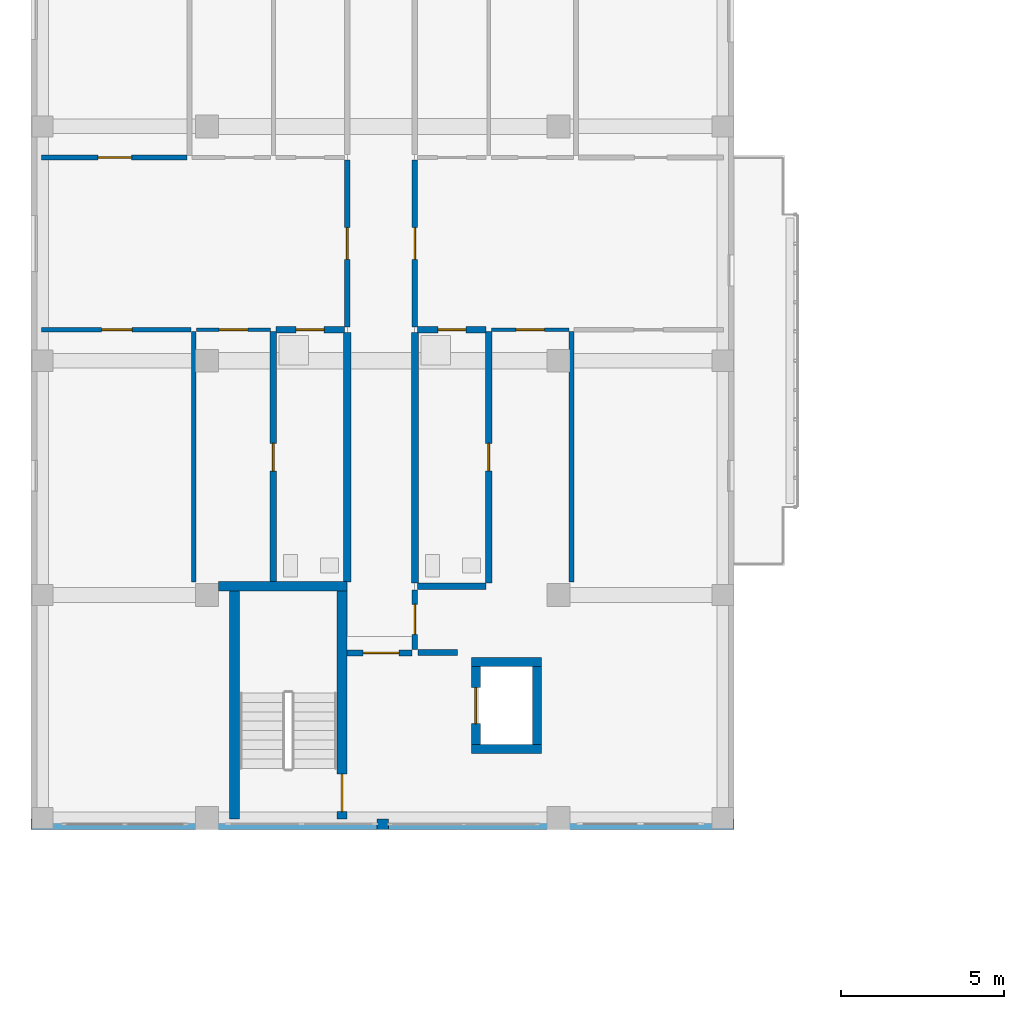
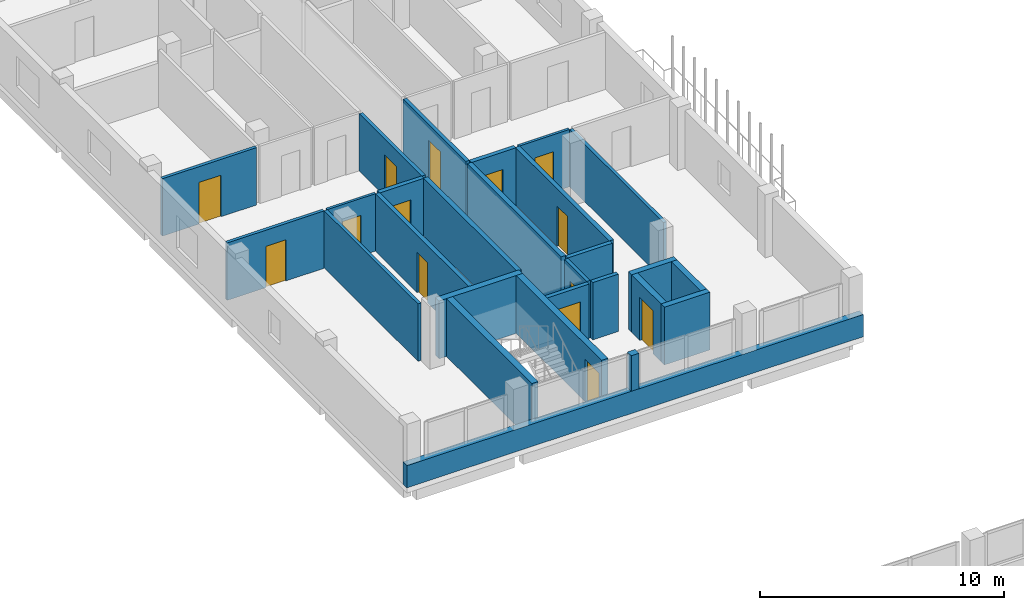
# One storey, part 27 of 51: 27 walls, 14 doors, 14 openings.
"""IFC4 building model written with IfcOpenShell, lengths in metres."""

from ifc_helpers import new_model, si_unit, derived_unit, direction, frame, frame_2d, origin, place, context, subcontext, project, spatial, rectangle, extrude, material, layer, layer_set, type_object, element, fill, save


model = new_model("IFC4")

# Units and contexts
model_context = context("Model", 3, precision=1e-05, world=origin(), true_north=direction((0.0, 1.0)))
body_context = subcontext(model_context, "Body", "Model", "MODEL_VIEW")
ifc_project = project(units=[si_unit("LENGTHUNIT", "METRE"), si_unit("AREAUNIT", "SQUARE_METRE"), si_unit("VOLUMEUNIT", "CUBIC_METRE"), si_unit("PLANEANGLEUNIT", "RADIAN"), si_unit("MASSUNIT", "GRAM", prefix="KILO"), derived_unit("THERMALTRANSMITTANCEUNIT", [(si_unit("MASSUNIT", "GRAM", prefix="KILO"), 1), (si_unit("TIMEUNIT", "SECOND"), -3), (si_unit("THERMODYNAMICTEMPERATUREUNIT", "KELVIN"), -1)])], contexts=[model_context])

# Site, building, storey
site_placement = place(None, origin())
site = spatial("IfcSite", under=ifc_project, at=site_placement, CompositionType="ELEMENT")
building_placement = place(site_placement, origin())
building = spatial("IfcBuilding", under=site, at=building_placement, Name="Ochrekiln Boulevard Commons", CompositionType="ELEMENT")
storey_placement = place(building_placement, frame((0.0, 0.0, 15.22509765625)))
storey = spatial("IfcBuildingStorey", under=building, at=storey_placement, Name="L04", CompositionType="ELEMENT", Elevation=15.22509765625)

# Walls
ifc_material_1 = material(Name="Desert ochre clinker brick masonry ASTM C216 Grade SW", Category="masonry")
ifc_layer_1 = layer(ifc_material_1, 0.320068359375)
ifc_layer_set_1 = layer_set([ifc_layer_1], Name="Desert ochre clinker brick masonry ASTM C216 Grade SW")
wall_type_1 = type_object("IfcWallType", Name="WL-EXT-OCHRE-320", PredefinedType="SOLIDWALL", material=ifc_layer_set_1)
wall_1_placement = place(storey_placement, frame((0.0, 68.56005859375, 0.0), z_axis=(0.0, 0.0, 1.0), x_axis=(1.0, 0.0, 0.0)))
element("IfcWall", 1, at=wall_1_placement, inside=storey, type_object=wall_type_1, Name="Block A L04 Courtyard Gable Sill Wall", PredefinedType="SOLIDWALL", context=body_context, shape_type="SweptSolid", body=[
    extrude(rectangle(XDim=21.60009765625, YDim=0.320068359375, at=frame_2d((10.800048828125, 0.0))), origin(), (0.0, 0.0, 1.0), 1.10986328125),
])
wall_2_placement = place(storey_placement, frame((10.6201171875, 68.56005859375, 1.10986328125), z_axis=(0.0, 0.0, 1.0), x_axis=(1.0, 0.0, 0.0)))
element("IfcWall", 2, at=wall_2_placement, inside=storey, type_object=wall_type_1, Name="Block A L04 Courtyard Gable Mullion Pier", PredefinedType="SOLIDWALL", context=body_context, shape_type="SweptSolid", body=[
    extrude(rectangle(XDim=0.35986328125, YDim=0.320068359375, at=frame_2d((0.179931640625, 0.0))), origin(), (0.0, 0.0, 1.0), 1.780029296875),
])
ifc_material_2 = material(Name="Moisture-resistant cementitious tile backer wall")
ifc_layer_2 = layer(ifc_material_2, 0.199951171875)
ifc_layer_set_2 = layer_set([ifc_layer_2], Name="Moisture-resistant cementitious tile backer wall")
wall_type_2 = type_object("IfcWallType", Name="WL-PLM-200", PredefinedType="PLUMBINGWALL", material=ifc_layer_set_2)
wall_3_placement = place(storey_placement, frame((11.8720703125, 75.875, 0.0), z_axis=(0.0, 0.0, 1.0), x_axis=(1.0, 0.0, 0.0)))
element("IfcWall", 3, at=wall_3_placement, inside=storey, type_object=wall_type_2, Name="L04 Interior Wall W-PW200", PredefinedType="PLUMBINGWALL", context=body_context, shape_type="SweptSolid", body=[
    extrude(rectangle(XDim=2.10791015625, YDim=0.199951171875, at=frame_2d((1.053955078125, 0.0))), origin(), (0.0, 0.0, 1.0), 2.869873046875),
])

# Wall, opening, door
wall_4_placement = place(storey_placement, frame((7.52001953125, 83.75, 0.0), z_axis=(0.0, 0.0, 1.0), x_axis=(1.0, 0.0, 0.0)))
wall_4 = element("IfcWall", 4, at=wall_4_placement, inside=storey, type_object=wall_type_2, Name="L04 Interior Wall W-PW200", PredefinedType="PLUMBINGWALL", context=body_context, shape_type="SweptSolid", body=[
    extrude(rectangle(XDim=2.10791015625, YDim=0.199951171875, at=frame_2d((1.053955078125, 0.0))), origin(), (0.0, 0.0, 1.0), 2.869873046875),
])
opening_1_placement = place(wall_4_placement, frame((0.6201171875, 0.0, 0.0)))
opening_1 = element("IfcOpeningElement", 5, at=opening_1_placement, cuts=wall_4, Name="Opening D-L04-562", PredefinedType="OPENING", context=body_context, shape_type="SweptSolid", body=[
    extrude(rectangle(XDim=0.860107421875, YDim=2.0, at=frame_2d((0.43017578125, 1.0))), frame((0.0, 0.10986328125, 0.0), z_axis=(0.0, -1.0, 0.0), x_axis=(1.0, 0.0, 0.0)), (0.0, 0.0, 1.0), 0.219970703125),
])
ifc_material_3 = material(Name="Solid core architectural oak door leaf")
door_type_1 = type_object("IfcDoorType", Name="DR-INT-BTH-086", OperationType="NOTDEFINED", PredefinedType="DOOR", material=ifc_material_3)
door_1_placement = place(opening_1_placement, frame((0.860107421875, 0.0, 0.0), z_axis=(0.0, 0.0, 1.0), x_axis=(-1.0, 0.0, 0.0)))
door_1 = element("IfcDoor", 6, at=door_1_placement, inside=storey, type_object=door_type_1, Name="L04 Interior Door to Accessible Apartment Bathroom", OperationType="SINGLE_SWING_RIGHT", OverallHeight=2.0, OverallWidth=0.860107421875, PredefinedType="DOOR", context=body_context, shape_type="SweptSolid", body=[
    extrude(rectangle(XDim=0.860107421875, YDim=2.0, at=frame_2d((0.43017578125, 1.0))), frame((0.0, 0.02490234375, 0.0), z_axis=(0.0, -1.0, 0.0), x_axis=(1.0, 0.0, 0.0)), (0.0, 0.0, 1.0), 0.050048828125),
])
fill(opening_1, door_1)

wall_5_placement = place(storey_placement, frame((7.43994140625, 76.0, 0.0), z_axis=(0.0, 0.0, 1.0), x_axis=(0.0, 1.0, 0.0)))
wall_5 = element("IfcWall", 7, at=wall_5_placement, inside=storey, type_object=wall_type_2, Name="L04 Interior Wall W-PW200", PredefinedType="PLUMBINGWALL", context=body_context, shape_type="SweptSolid", body=[
    extrude(rectangle(XDim=7.68994140625, YDim=0.199951171875, at=frame_2d((3.844970703125, 0.0))), origin(), (0.0, 0.0, 1.0), 2.869873046875),
])
opening_2_placement = place(wall_5_placement, frame((3.409912109375, 0.0, 0.0)))
opening_2 = element("IfcOpeningElement", 8, at=opening_2_placement, cuts=wall_5, Name="Opening D-L04-568", PredefinedType="OPENING", context=body_context, shape_type="SweptSolid", body=[
    extrude(rectangle(XDim=0.85009765625, YDim=2.010009765625, at=frame_2d((0.425048828125, 1.0048828125))), frame((0.0, 0.10986328125, 0.0), z_axis=(0.0, -1.0, 0.0), x_axis=(1.0, 0.0, 0.0)), (0.0, 0.0, 1.0), 0.219970703125),
])
door_type_2 = type_object("IfcDoorType", Name="DR-INT-KIT-085", OperationType="NOTDEFINED", PredefinedType="DOOR", material=ifc_material_3)
door_2_placement = place(opening_2_placement, frame((0.85009765625, 0.0, 0.0), z_axis=(0.0, 0.0, 1.0), x_axis=(-1.0, 0.0, 0.0)))
door_2 = element("IfcDoor", 9, at=door_2_placement, inside=storey, type_object=door_type_2, Name="L04 Interior Door to Accessible Apartment Bathroom", OperationType="SINGLE_SWING_RIGHT", OverallHeight=2.010009765625, OverallWidth=0.85009765625, PredefinedType="DOOR", context=body_context, shape_type="SweptSolid", body=[
    extrude(rectangle(XDim=0.85009765625, YDim=2.010009765625, at=frame_2d((0.425048828125, 1.0048828125))), frame((0.0, 0.02490234375, 0.0), z_axis=(0.0, -1.0, 0.0), x_axis=(1.0, 0.0, 0.0)), (0.0, 0.0, 1.0), 0.050048828125),
])
fill(opening_2, door_2)

wall_6_placement = place(storey_placement, frame((11.8720703125, 83.75, 0.0), z_axis=(0.0, 0.0, 1.0), x_axis=(1.0, 0.0, 0.0)))
wall_6 = element("IfcWall", 10, at=wall_6_placement, inside=storey, type_object=wall_type_2, Name="L04 Interior Wall W-PW200", PredefinedType="PLUMBINGWALL", context=body_context, shape_type="SweptSolid", body=[
    extrude(rectangle(XDim=2.10791015625, YDim=0.199951171875, at=frame_2d((1.053955078125, 0.0))), origin(), (0.0, 0.0, 1.0), 2.869873046875),
])
opening_3_placement = place(wall_6_placement, frame((0.6279296875, 0.0, 0.0)))
opening_3 = element("IfcOpeningElement", 11, at=opening_3_placement, cuts=wall_6, Name="Opening D-L04-573", PredefinedType="OPENING", context=body_context, shape_type="SweptSolid", body=[
    extrude(rectangle(XDim=0.860107421875, YDim=2.0, at=frame_2d((0.43017578125, 1.0))), frame((0.0, 0.10986328125, 0.0), z_axis=(0.0, -1.0, 0.0), x_axis=(1.0, 0.0, 0.0)), (0.0, 0.0, 1.0), 0.219970703125),
])
door_3_placement = place(opening_3_placement, frame((0.860107421875, 0.0, 0.0), z_axis=(0.0, 0.0, 1.0), x_axis=(-1.0, 0.0, 0.0)))
door_3 = element("IfcDoor", 12, at=door_3_placement, inside=storey, type_object=door_type_1, Name="L04 Interior Door to Apartment Bathroom", OperationType="SINGLE_SWING_LEFT", OverallHeight=2.0, OverallWidth=0.860107421875, PredefinedType="DOOR", context=body_context, shape_type="SweptSolid", body=[
    extrude(rectangle(XDim=0.860107421875, YDim=2.0, at=frame_2d((0.43017578125, 1.0))), frame((0.0, 0.02490234375, 0.0), z_axis=(0.0, -1.0, 0.0), x_axis=(1.0, 0.0, 0.0)), (0.0, 0.0, 1.0), 0.050048828125),
])
fill(opening_3, door_3)

wall_7_placement = place(storey_placement, frame((14.06005859375, 75.97509765625, 0.0), z_axis=(0.0, 0.0, 1.0), x_axis=(0.0, 1.0, 0.0)))
wall_7 = element("IfcWall", 13, at=wall_7_placement, inside=storey, type_object=wall_type_2, Name="L04 Interior Wall W-PW200", PredefinedType="PLUMBINGWALL", context=body_context, shape_type="SweptSolid", body=[
    extrude(rectangle(XDim=7.71484375, YDim=0.199951171875, at=frame_2d((3.857421875, 0.0))), origin(), (0.0, 0.0, 1.0), 2.869873046875),
])
opening_4_placement = place(wall_7_placement, frame((3.43505859375, 0.0, 0.0)))
opening_4 = element("IfcOpeningElement", 14, at=opening_4_placement, cuts=wall_7, Name="Opening D-L04-579", PredefinedType="OPENING", context=body_context, shape_type="SweptSolid", body=[
    extrude(rectangle(XDim=0.85009765625, YDim=2.010009765625, at=frame_2d((0.425048828125, 1.0048828125))), frame((0.0, 0.10986328125, 0.0), z_axis=(0.0, -1.0, 0.0), x_axis=(1.0, 0.0, 0.0)), (0.0, 0.0, 1.0), 0.219970703125),
])
door_4_placement = place(opening_4_placement, origin())
door_4 = element("IfcDoor", 15, at=door_4_placement, inside=storey, type_object=door_type_2, Name="L04 Interior Door to Apartment Bathroom", OperationType="SINGLE_SWING_LEFT", OverallHeight=2.010009765625, OverallWidth=0.85009765625, PredefinedType="DOOR", context=body_context, shape_type="SweptSolid", body=[
    extrude(rectangle(XDim=0.85009765625, YDim=2.010009765625, at=frame_2d((0.425048828125, 1.0048828125))), frame((0.0, 0.02490234375, 0.0), z_axis=(0.0, -1.0, 0.0), x_axis=(1.0, 0.0, 0.0)), (0.0, 0.0, 1.0), 0.050048828125),
])
fill(opening_4, door_4)

# Walls
ifc_layer_3 = layer(ifc_material_2, 0.219970703125)
ifc_layer_set_3 = layer_set([ifc_layer_3], Name="Moisture-resistant cementitious tile backer wall")
wall_type_3 = type_object("IfcWallType", Name="WL-PLM-220", PredefinedType="PLUMBINGWALL", material=ifc_layer_set_3)
wall_8_placement = place(storey_placement, frame((9.7099609375, 76.0, 0.0), z_axis=(0.0, 0.0, 1.0), x_axis=(0.0, 1.0, 0.0)))
element("IfcWall", 16, at=wall_8_placement, inside=storey, type_object=wall_type_3, Name="L04 Interior Wall W-PW220", PredefinedType="PLUMBINGWALL", context=body_context, shape_type="SweptSolid", body=[
    extrude(rectangle(XDim=7.669921875, YDim=0.219970703125, at=frame_2d((3.8349609375, 0.0))), origin(), (0.0, 0.0, 1.0), 2.869873046875),
])
wall_9_placement = place(storey_placement, frame((11.7900390625, 75.97509765625, 0.0), z_axis=(0.0, 0.0, 1.0), x_axis=(0.0, 1.0, 0.0)))
element("IfcWall", 17, at=wall_9_placement, inside=storey, type_object=wall_type_3, Name="L04 Interior Wall W-PW220", PredefinedType="PLUMBINGWALL", context=body_context, shape_type="SweptSolid", body=[
    extrude(rectangle(XDim=7.69482421875, YDim=0.219970703125, at=frame_2d((3.847412109375, 0.0))), origin(), (0.0, 0.0, 1.0), 2.869873046875),
])

# Wall, opening, door
ifc_material_4 = material(Name="Fire-rated Type X gypsum board on steel studs", Category="steel")
ifc_layer_4 = layer(ifc_material_4, 0.1650390625)
ifc_layer_set_4 = layer_set([ifc_layer_4], Name="Fire-rated Type X gypsum board on steel studs")
wall_type_4 = type_object("IfcWallType", Name="WL-PT-CORR-165", PredefinedType="PARTITIONING", material=ifc_layer_set_4)
wall_10_placement = place(storey_placement, frame((11.7900390625, 73.929931640625, 0.0), z_axis=(0.0, 0.0, 1.0), x_axis=(0.0, 1.0, 0.0)))
wall_10 = element("IfcWall", 18, at=wall_10_placement, inside=storey, type_object=wall_type_4, Name="L04 Interior Wall W-PC165", PredefinedType="PARTITIONING", context=body_context, shape_type="SweptSolid", body=[
    extrude(rectangle(XDim=1.820068359375, YDim=0.1650390625, at=frame_2d((0.91015625, 0.0))), origin(), (0.0, 0.0, 1.0), 2.869873046875),
])
opening_5_placement = place(wall_10_placement, frame((0.4599609375, 0.0, 0.0)))
opening_5 = element("IfcOpeningElement", 19, at=opening_5_placement, cuts=wall_10, Name="Opening D-L04-557", PredefinedType="OPENING", context=body_context, shape_type="SweptSolid", body=[
    extrude(rectangle(XDim=0.919921875, YDim=2.0400390625, at=frame_2d((0.4599609375, 1.02001953125))), frame((0.0, 0.092529296875, 0.0), z_axis=(0.0, -1.0, 0.0), x_axis=(1.0, 0.0, 0.0)), (0.0, 0.0, 1.0), 0.18505859375),
])
ifc_material_5 = material(Name="Hollow metal fire-rated steel door assembly", Category="steel")
door_type_3 = type_object("IfcDoorType", Name="DR-SRV-90", OperationType="NOTDEFINED", PredefinedType="DOOR", material=ifc_material_5)
door_5_placement = place(opening_5_placement, frame((0.919921875, 0.0, 0.0), z_axis=(0.0, 0.0, 1.0), x_axis=(-1.0, 0.0, 0.0)))
door_5 = element("IfcDoor", 20, at=door_5_placement, inside=storey, type_object=door_type_3, Name="L04 Interior Door to Hydronic and Electrical Riser Room", OperationType="SINGLE_SWING_LEFT", OverallHeight=2.0400390625, OverallWidth=0.919921875, PredefinedType="DOOR", context=body_context, shape_type="SweptSolid", body=[
    extrude(rectangle(XDim=0.919921875, YDim=2.0400390625, at=frame_2d((0.4599609375, 1.02001953125))), frame((0.0, 0.02490234375, 0.0), z_axis=(0.0, -1.0, 0.0), x_axis=(1.0, 0.0, 0.0)), (0.0, 0.0, 1.0), 0.050048828125),
])
fill(opening_5, door_5)

wall_11_placement = place(storey_placement, frame((9.7099609375, 83.830078125, 0.0), z_axis=(0.0, 0.0, 1.0), x_axis=(0.0, 1.0, 0.0)))
wall_11 = element("IfcWall", 21, at=wall_11_placement, inside=storey, type_object=wall_type_4, Name="L04 Interior Wall W-PC165", PredefinedType="PARTITIONING", context=body_context, shape_type="SweptSolid", body=[
    extrude(rectangle(XDim=5.139892578125, YDim=0.1650390625, at=frame_2d((2.56982421875, 0.0))), origin(), (0.0, 0.0, 1.0), 2.869873046875),
])
opening_6_placement = place(wall_11_placement, frame((2.080078125, 0.0, 0.0)))
opening_6 = element("IfcOpeningElement", 22, at=opening_6_placement, cuts=wall_11, Name="Opening D-L04-558", PredefinedType="OPENING", context=body_context, shape_type="SweptSolid", body=[
    extrude(rectangle(XDim=0.97998046875, YDim=2.080078125, at=frame_2d((0.489990234375, 1.0400390625))), frame((0.0, 0.092529296875, 0.0), z_axis=(0.0, -1.0, 0.0), x_axis=(1.0, 0.0, 0.0)), (0.0, 0.0, 1.0), 0.18505859375),
])
door_type_4 = type_object("IfcDoorType", Name="DR-APT-60", OperationType="NOTDEFINED", PredefinedType="DOOR", material=ifc_material_3)
door_6_placement = place(opening_6_placement, origin())
door_6 = element("IfcDoor", 23, at=door_6_placement, inside=storey, type_object=door_type_4, Name="L04 Interior Door to Two-Bedroom Apartment Living Room", OperationType="SINGLE_SWING_RIGHT", OverallHeight=2.080078125, OverallWidth=0.97998046875, PredefinedType="DOOR", context=body_context, shape_type="SweptSolid", body=[
    extrude(rectangle(XDim=0.97998046875, YDim=2.080078125, at=frame_2d((0.489990234375, 1.0400390625))), frame((0.0, 0.02490234375, 0.0), z_axis=(0.0, -1.0, 0.0), x_axis=(1.0, 0.0, 0.0)), (0.0, 0.0, 1.0), 0.050048828125),
])
fill(opening_6, door_6)

wall_12_placement = place(storey_placement, frame((11.7900390625, 83.830078125, 0.0), z_axis=(0.0, 0.0, 1.0), x_axis=(0.0, 1.0, 0.0)))
wall_12 = element("IfcWall", 24, at=wall_12_placement, inside=storey, type_object=wall_type_4, Name="L04 Interior Wall W-PC165", PredefinedType="PARTITIONING", context=body_context, shape_type="SweptSolid", body=[
    extrude(rectangle(XDim=5.139892578125, YDim=0.1650390625, at=frame_2d((2.56982421875, 0.0))), origin(), (0.0, 0.0, 1.0), 2.869873046875),
])
opening_7_placement = place(wall_12_placement, frame((2.080078125, 0.0, 0.0)))
opening_7 = element("IfcOpeningElement", 25, at=opening_7_placement, cuts=wall_12, Name="Opening D-L04-560", PredefinedType="OPENING", context=body_context, shape_type="SweptSolid", body=[
    extrude(rectangle(XDim=0.97998046875, YDim=2.080078125, at=frame_2d((0.489990234375, 1.0400390625))), frame((0.0, 0.092529296875, 0.0), z_axis=(0.0, -1.0, 0.0), x_axis=(1.0, 0.0, 0.0)), (0.0, 0.0, 1.0), 0.18505859375),
])
door_7_placement = place(opening_7_placement, frame((0.97998046875, 0.0, 0.0), z_axis=(0.0, 0.0, 1.0), x_axis=(-1.0, 0.0, 0.0)))
door_7 = element("IfcDoor", 26, at=door_7_placement, inside=storey, type_object=door_type_4, Name="L04 Interior Door to Two-Bedroom Apartment Living Room", OperationType="SINGLE_SWING_RIGHT", OverallHeight=2.080078125, OverallWidth=0.97998046875, PredefinedType="DOOR", context=body_context, shape_type="SweptSolid", body=[
    extrude(rectangle(XDim=0.97998046875, YDim=2.080078125, at=frame_2d((0.489990234375, 1.0400390625))), frame((0.0, 0.02490234375, 0.0), z_axis=(0.0, -1.0, 0.0), x_axis=(1.0, 0.0, 0.0)), (0.0, 0.0, 1.0), 0.050048828125),
])
fill(opening_7, door_7)

# Wall
ifc_layer_5 = layer(ifc_material_4, 0.18994140625)
ifc_layer_set_5 = layer_set([ifc_layer_5], Name="Fire-rated Type X gypsum board on steel studs")
wall_type_5 = type_object("IfcWallType", Name="WL-PT-LBY-190", PredefinedType="PARTITIONING", material=ifc_layer_set_5)
wall_13_placement = place(storey_placement, frame((11.8798828125, 73.8349609375, 0.0), z_axis=(0.0, 0.0, 1.0), x_axis=(1.0, 0.0, 0.0)))
element("IfcWall", 27, at=wall_13_placement, inside=storey, type_object=wall_type_5, Name="L04 Interior Wall W-PL190", PredefinedType="PARTITIONING", context=body_context, shape_type="SweptSolid", body=[
    extrude(rectangle(XDim=1.22021484375, YDim=0.18994140625, at=frame_2d((0.610107421875, 0.0))), origin(), (0.0, 0.0, 1.0), 2.869873046875),
])

# Wall, opening, door
wall_14_placement = place(storey_placement, frame((9.699951171875, 73.820068359375, 0.0), z_axis=(0.0, 0.0, 1.0), x_axis=(1.0, 0.0, 0.0)))
wall_14 = element("IfcWall", 28, at=wall_14_placement, inside=storey, type_object=wall_type_5, Name="L04 Interior Wall W-PL190", PredefinedType="PARTITIONING", context=body_context, shape_type="SweptSolid", body=[
    extrude(rectangle(XDim=2.0, YDim=0.18994140625, at=frame_2d((1.0, 0.0))), origin(), (0.0, 0.0, 1.0), 2.869873046875),
])
opening_8_placement = place(wall_14_placement, frame((0.5, 0.0, 0.0)))
opening_8 = element("IfcOpeningElement", 29, at=opening_8_placement, cuts=wall_14, Name="Opening D-L04-555", PredefinedType="OPENING", context=body_context, shape_type="SweptSolid", body=[
    extrude(rectangle(XDim=1.10009765625, YDim=2.1201171875, at=frame_2d((0.550048828125, 1.06005859375))), frame((0.0, 0.10498046875, 0.0), z_axis=(0.0, -1.0, 0.0), x_axis=(1.0, 0.0, 0.0)), (0.0, 0.0, 1.0), 0.2099609375),
])
door_type_5 = type_object("IfcDoorType", Name="DR-LOBBY-60", OperationType="NOTDEFINED", PredefinedType="DOOR", material=ifc_material_5)
door_8_placement = place(opening_8_placement, frame((1.10009765625, 0.0, 0.0), z_axis=(0.0, 0.0, 1.0), x_axis=(-1.0, 0.0, 0.0)))
door_8 = element("IfcDoor", 30, at=door_8_placement, inside=storey, type_object=door_type_5, Name="L04 Interior Door to Fire Service Access Elevator Lobby", OperationType="SINGLE_SWING_LEFT", OverallHeight=2.1201171875, OverallWidth=1.10009765625, PredefinedType="DOOR", context=body_context, shape_type="SweptSolid", body=[
    extrude(rectangle(XDim=1.10009765625, YDim=2.1201171875, at=frame_2d((0.550048828125, 1.06005859375))), frame((0.0, 0.02490234375, 0.0), z_axis=(0.0, -1.0, 0.0), x_axis=(1.0, 0.0, 0.0)), (0.0, 0.0, 1.0), 0.050048828125),
])
fill(opening_8, door_8)

ifc_layer_6 = layer(ifc_material_4, 0.1201171875)
ifc_layer_set_6 = layer_set([ifc_layer_6], Name="Fire-rated Type X gypsum board on steel studs")
wall_type_6 = type_object("IfcWallType", Name="WL-PT-LGT-120", PredefinedType="PARTITIONING", material=ifc_layer_set_6)
wall_15_placement = place(storey_placement, frame((5.072998046875, 83.75, 0.0), z_axis=(0.0, 0.0, 1.0), x_axis=(1.0, 0.0, 0.0)))
wall_15 = element("IfcWall", 31, at=wall_15_placement, inside=storey, type_object=wall_type_6, Name="L04 Interior Wall W-PL120", PredefinedType="PARTITIONING", context=body_context, shape_type="SweptSolid", body=[
    extrude(rectangle(XDim=2.287109375, YDim=0.1201171875, at=frame_2d((1.1435546875, 0.0))), origin(), (0.0, 0.0, 1.0), 2.869873046875),
])
opening_9_placement = place(wall_15_placement, frame((0.702880859375, 0.0, 0.0)))
opening_9 = element("IfcOpeningElement", 32, at=opening_9_placement, cuts=wall_15, Name="Opening D-L04-565", PredefinedType="OPENING", context=body_context, shape_type="SweptSolid", body=[
    extrude(rectangle(XDim=0.8798828125, YDim=2.02001953125, at=frame_2d((0.43994140625, 1.010009765625))), frame((0.0, 0.070068359375, 0.0), z_axis=(0.0, -1.0, 0.0), x_axis=(1.0, 0.0, 0.0)), (0.0, 0.0, 1.0), 0.14013671875),
])
door_type_6 = type_object("IfcDoorType", Name="DR-INT-KIT-088", OperationType="NOTDEFINED", PredefinedType="DOOR", material=ifc_material_3)
door_9_placement = place(opening_9_placement, frame((0.8798828125, 0.0, 0.0), z_axis=(0.0, 0.0, 1.0), x_axis=(-1.0, 0.0, 0.0)))
door_9 = element("IfcDoor", 33, at=door_9_placement, inside=storey, type_object=door_type_6, Name="L04 Interior Door to Apartment Walk-In Wardrobe", OperationType="SINGLE_SWING_LEFT", OverallHeight=2.02001953125, OverallWidth=0.8798828125, PredefinedType="DOOR", context=body_context, shape_type="SweptSolid", body=[
    extrude(rectangle(XDim=0.8798828125, YDim=2.02001953125, at=frame_2d((0.43994140625, 1.010009765625))), frame((0.0, 0.02490234375, 0.0), z_axis=(0.0, -1.0, 0.0), x_axis=(1.0, 0.0, 0.0)), (0.0, 0.0, 1.0), 0.050048828125),
])
fill(opening_9, door_9)

wall_16_placement = place(storey_placement, frame((14.139892578125, 83.75, 0.0), z_axis=(0.0, 0.0, 1.0), x_axis=(1.0, 0.0, 0.0)))
wall_16 = element("IfcWall", 34, at=wall_16_placement, inside=storey, type_object=wall_type_6, Name="L04 Interior Wall W-PL120", PredefinedType="PARTITIONING", context=body_context, shape_type="SweptSolid", body=[
    extrude(rectangle(XDim=2.38720703125, YDim=0.1201171875, at=frame_2d((1.193603515625, 0.0))), origin(), (0.0, 0.0, 1.0), 2.869873046875),
])
opening_10_placement = place(wall_16_placement, frame((0.75390625, 0.0, 0.0)))
opening_10 = element("IfcOpeningElement", 35, at=opening_10_placement, cuts=wall_16, Name="Opening D-L04-576", PredefinedType="OPENING", context=body_context, shape_type="SweptSolid", body=[
    extrude(rectangle(XDim=0.8798828125, YDim=2.02001953125, at=frame_2d((0.43994140625, 1.010009765625))), frame((0.0, 0.070068359375, 0.0), z_axis=(0.0, -1.0, 0.0), x_axis=(1.0, 0.0, 0.0)), (0.0, 0.0, 1.0), 0.14013671875),
])
door_10_placement = place(opening_10_placement, frame((0.8798828125, 0.0, 0.0), z_axis=(0.0, 0.0, 1.0), x_axis=(-1.0, 0.0, 0.0)))
door_10 = element("IfcDoor", 36, at=door_10_placement, inside=storey, type_object=door_type_6, Name="L04 Interior Door to Apartment Walk-In Wardrobe", OperationType="SINGLE_SWING_RIGHT", OverallHeight=2.02001953125, OverallWidth=0.8798828125, PredefinedType="DOOR", context=body_context, shape_type="SweptSolid", body=[
    extrude(rectangle(XDim=0.8798828125, YDim=2.02001953125, at=frame_2d((0.43994140625, 1.010009765625))), frame((0.0, 0.02490234375, 0.0), z_axis=(0.0, -1.0, 0.0), x_axis=(1.0, 0.0, 0.0)), (0.0, 0.0, 1.0), 0.050048828125),
])
fill(opening_10, door_10)

ifc_layer_7 = layer(ifc_material_4, 0.14990234375)
ifc_layer_set_7 = layer_set([ifc_layer_7], Name="Fire-rated Type X gypsum board on steel studs")
wall_type_7 = type_object("IfcWallType", Name="WL-PT-STD-150", PredefinedType="PARTITIONING", material=ifc_layer_set_7)
wall_17_placement = place(storey_placement, frame((0.320068359375, 83.75, 0.0), z_axis=(0.0, 0.0, 1.0), x_axis=(1.0, 0.0, 0.0)))
wall_17 = element("IfcWall", 37, at=wall_17_placement, inside=storey, type_object=wall_type_7, Name="L04 Interior Wall W-PS150", PredefinedType="PARTITIONING", context=body_context, shape_type="SweptSolid", body=[
    extrude(rectangle(XDim=4.593017578125, YDim=0.14990234375, at=frame_2d((2.29638671875, 0.0))), origin(), (0.0, 0.0, 1.0), 2.869873046875),
])
opening_11_placement = place(wall_17_placement, frame((1.842041015625, 0.0, 0.0)))
opening_11 = element("IfcOpeningElement", 38, at=opening_11_placement, cuts=wall_17, Name="Opening D-L04-564", PredefinedType="OPENING", context=body_context, shape_type="SweptSolid", body=[
    extrude(rectangle(XDim=0.93994140625, YDim=2.06005859375, at=frame_2d((0.469970703125, 1.030029296875))), frame((0.0, 0.0849609375, 0.0), z_axis=(0.0, -1.0, 0.0), x_axis=(1.0, 0.0, 0.0)), (0.0, 0.0, 1.0), 0.169921875),
])
door_type_7 = type_object("IfcDoorType", Name="DR-INT-BED-094", OperationType="NOTDEFINED", PredefinedType="DOOR", material=ifc_material_3)
door_11_placement = place(opening_11_placement, frame((0.93994140625, 0.0, 0.0), z_axis=(0.0, 0.0, 1.0), x_axis=(-1.0, 0.0, 0.0)))
door_11 = element("IfcDoor", 39, at=door_11_placement, inside=storey, type_object=door_type_7, Name="L04 Interior Door to Primary Apartment Bedroom", OperationType="SINGLE_SWING_RIGHT", OverallHeight=2.06005859375, OverallWidth=0.93994140625, PredefinedType="DOOR", context=body_context, shape_type="SweptSolid", body=[
    extrude(rectangle(XDim=0.93994140625, YDim=2.06005859375, at=frame_2d((0.469970703125, 1.030029296875))), frame((0.0, 0.02490234375, 0.0), z_axis=(0.0, -1.0, 0.0), x_axis=(1.0, 0.0, 0.0)), (0.0, 0.0, 1.0), 0.050048828125),
])
fill(opening_11, door_11)

wall_18_placement = place(storey_placement, frame((0.320068359375, 89.050048828125, 0.0), z_axis=(0.0, 0.0, 1.0), x_axis=(1.0, 0.0, 0.0)))
wall_18 = element("IfcWall", 40, at=wall_18_placement, inside=storey, type_object=wall_type_7, Name="L04 Interior Wall W-PS150", PredefinedType="PARTITIONING", context=body_context, shape_type="SweptSolid", body=[
    extrude(rectangle(XDim=4.4599609375, YDim=0.14990234375, at=frame_2d((2.22998046875, 0.0))), origin(), (0.0, 0.0, 1.0), 2.869873046875),
])
opening_12_placement = place(wall_18_placement, frame((1.72509765625, 0.0, 0.0)))
opening_12 = element("IfcOpeningElement", 41, at=opening_12_placement, cuts=wall_18, Name="Opening D-L04-566", PredefinedType="OPENING", context=body_context, shape_type="SweptSolid", body=[
    extrude(rectangle(XDim=1.0400390625, YDim=2.080078125, at=frame_2d((0.52001953125, 1.0400390625))), frame((0.0, 0.0849609375, 0.0), z_axis=(0.0, -1.0, 0.0), x_axis=(1.0, 0.0, 0.0)), (0.0, 0.0, 1.0), 0.169921875),
])
door_type_8 = type_object("IfcDoorType", Name="DR-INT-BED-104", OperationType="NOTDEFINED", PredefinedType="DOOR", material=ifc_material_3)
door_12_placement = place(opening_12_placement, origin())
door_12 = element("IfcDoor", 42, at=door_12_placement, inside=storey, type_object=door_type_8, Name="L04 Interior Door to Secondary Apartment Bedroom", OperationType="SINGLE_SWING_RIGHT", OverallHeight=2.080078125, OverallWidth=1.0400390625, PredefinedType="DOOR", context=body_context, shape_type="SweptSolid", body=[
    extrude(rectangle(XDim=1.0400390625, YDim=2.080078125, at=frame_2d((0.52001953125, 1.0400390625))), frame((0.0, 0.02490234375, 0.0), z_axis=(0.0, -1.0, 0.0), x_axis=(1.0, 0.0, 0.0)), (0.0, 0.0, 1.0), 0.050048828125),
])
fill(opening_12, door_12)

# Walls
for number, where, z_axis, x_axis, name in (
    (43, (4.992919921875, 76.0, 0.0), (0.0, 0.0, 1.0), (0.0, 1.0, 0.0), "L04 Interior Wall W-PS150"),
    (44, (16.60693359375, 76.0, 0.0), (0.0, 0.0, 1.0), (0.0, 1.0, 0.0), "L04 Interior Wall W-PS150"),
):
    element("IfcWall", number, at=place(storey_placement, frame(where, z_axis=z_axis, x_axis=x_axis)), inside=storey, type_object=wall_type_7, Name=name, PredefinedType="PARTITIONING", context=body_context, shape_type="SweptSolid", body=[
        extrude(rectangle(XDim=7.68994140625, YDim=0.14990234375, at=frame_2d((3.844970703125, 0.0))), origin(), (0.0, 0.0, 1.0), 2.869873046875),
    ])
ifc_material_6 = material(Name="Concrete C40/50", Category="concrete")
ifc_layer_8 = layer(ifc_material_6, 0.27490234375)
ifc_layer_set_8 = layer_set([ifc_layer_8], Name="Concrete C40/50")
wall_type_8 = type_object("IfcWallType", Name="WL-SH-275", PredefinedType="SHEAR", material=ifc_layer_set_8)
for number, where, z_axis, x_axis, name in (
    (45, (13.52490234375, 70.862548828125, 0.0), (0.0, 0.0, 1.0), (1.0, 0.0, 0.0), "Elevator FF-A1 L04 Hoistway Shear Wall"),
    (46, (13.52490234375, 73.53759765625, 0.0), (0.0, 0.0, 1.0), (1.0, 0.0, 0.0), "Elevator FF-A1 L04 Hoistway Shear Wall"),
):
    element("IfcWall", number, at=place(storey_placement, frame(where, z_axis=z_axis, x_axis=x_axis)), inside=storey, type_object=wall_type_8, Name=name, PredefinedType="SHEAR", context=body_context, shape_type="SweptSolid", body=[
        extrude(rectangle(XDim=2.150146484375, YDim=0.27490234375, at=frame_2d((1.0751953125, 0.0))), origin(), (0.0, 0.0, 1.0), 2.889892578125),
    ])

# Wall, opening, door
wall_19_placement = place(storey_placement, frame((13.66259765625, 71.0, 0.0), z_axis=(0.0, 0.0, 1.0), x_axis=(0.0, 1.0, 0.0)))
wall_19 = element("IfcWall", 47, at=wall_19_placement, inside=storey, type_object=wall_type_8, Name="Elevator FF-A1 L04 Hoistway Shear Wall", PredefinedType="SHEAR", context=body_context, shape_type="SweptSolid", body=[
    extrude(rectangle(XDim=2.39990234375, YDim=0.27490234375, at=frame_2d((1.199951171875, 0.0))), origin(), (0.0, 0.0, 1.0), 2.889892578125),
])
opening_13_placement = place(wall_19_placement, frame((0.64990234375, 0.0, 0.0)))
opening_13 = element("IfcOpeningElement", 48, at=opening_13_placement, cuts=wall_19, Name="Opening LD-FF-A1-L04", PredefinedType="OPENING", context=body_context, shape_type="SweptSolid", body=[
    extrude(rectangle(XDim=1.10009765625, YDim=2.14990234375, at=frame_2d((0.550048828125, 1.074951171875))), frame((0.0, 0.1474609375, 0.0), z_axis=(0.0, -1.0, 0.0), x_axis=(1.0, 0.0, 0.0)), (0.0, 0.0, 1.0), 0.294921875),
])
ifc_material_7 = material(Name="Brushed stainless steel 316 elevator cab and doors", Category="steel")
door_type_9 = type_object("IfcDoorType", Name="DR-LIFT-LD90", OperationType="SLIDING_TO_LEFT", PredefinedType="DOOR", material=ifc_material_7)
door_13_placement = place(opening_13_placement, origin())
door_13 = element("IfcDoor", 49, at=door_13_placement, inside=storey, type_object=door_type_9, Name="Elevator FF-A1 L04 Sliding Landing Door LD-FF-A1-L04", OperationType="SLIDING_TO_LEFT", OverallHeight=2.14990234375, OverallWidth=1.10009765625, PredefinedType="DOOR", context=body_context, shape_type="SweptSolid", body=[
    extrude(rectangle(XDim=1.10009765625, YDim=2.14990234375, at=frame_2d((0.550048828125, 1.074951171875))), frame((0.0, 0.02490234375, 0.0), z_axis=(0.0, -1.0, 0.0), x_axis=(1.0, 0.0, 0.0)), (0.0, 0.0, 1.0), 0.050048828125),
])
fill(opening_13, door_13)

# Walls
wall_20_placement = place(storey_placement, frame((15.53759765625, 71.0, 0.0), z_axis=(0.0, 0.0, 1.0), x_axis=(0.0, 1.0, 0.0)))
element("IfcWall", 50, at=wall_20_placement, inside=storey, type_object=wall_type_8, Name="Elevator FF-A1 L04 Hoistway Shear Wall", PredefinedType="SHEAR", context=body_context, shape_type="SweptSolid", body=[
    extrude(rectangle(XDim=2.39990234375, YDim=0.27490234375, at=frame_2d((1.199951171875, 0.0))), origin(), (0.0, 0.0, 1.0), 2.889892578125),
])
ifc_layer_9 = layer(ifc_material_6, 0.300048828125)
ifc_layer_set_9 = layer_set([ifc_layer_9], Name="Concrete C40/50")
wall_type_9 = type_object("IfcWallType", Name="WL-SH-300", PredefinedType="SHEAR", material=ifc_layer_set_9)
wall_21_placement = place(storey_placement, frame((5.75, 75.8701171875, 0.0), z_axis=(0.0, 0.0, 1.0), x_axis=(1.0, 0.0, 0.0)))
element("IfcWall", 51, at=wall_21_placement, inside=storey, type_object=wall_type_9, Name="Stair ST-A1 L04 Core Shear Wall N", PredefinedType="SHEAR", context=body_context, shape_type="SweptSolid", body=[
    extrude(rectangle(XDim=3.949951171875, YDim=0.300048828125, at=frame_2d((1.97509765625, 0.0))), origin(), (0.0, 0.0, 1.0), 2.889892578125),
])
wall_22_placement = place(storey_placement, frame((6.25, 68.719970703125, 0.0), z_axis=(0.0, 0.0, 1.0), x_axis=(0.0, 1.0, 0.0)))
element("IfcWall", 52, at=wall_22_placement, inside=storey, type_object=wall_type_9, Name="Stair ST-A1 L04 Core Shear Wall W", PredefinedType="SHEAR", context=body_context, shape_type="SweptSolid", body=[
    extrude(rectangle(XDim=7.0, YDim=0.300048828125, at=frame_2d((3.5, 0.0))), origin(), (0.0, 0.0, 1.0), 2.889892578125),
])

# Wall, opening, door
wall_23_placement = place(storey_placement, frame((9.550048828125, 68.719970703125, 0.0), z_axis=(0.0, 0.0, 1.0), x_axis=(0.0, 1.0, 0.0)))
wall_23 = element("IfcWall", 53, at=wall_23_placement, inside=storey, type_object=wall_type_9, Name="Stair ST-A1 L04 Core Shear Wall E", PredefinedType="SHEAR", context=body_context, shape_type="SweptSolid", body=[
    extrude(rectangle(XDim=7.0, YDim=0.300048828125, at=frame_2d((3.5, 0.0))), origin(), (0.0, 0.0, 1.0), 2.889892578125),
])
opening_14_placement = place(wall_23_placement, frame((0.22509765625, 0.0, 0.0)))
opening_14 = element("IfcOpeningElement", 54, at=opening_14_placement, cuts=wall_23, Name="Opening D-L04-ST-A1", PredefinedType="OPENING", context=body_context, shape_type="SweptSolid", body=[
    extrude(rectangle(XDim=1.14990234375, YDim=2.1201171875, at=frame_2d((0.574951171875, 1.06005859375))), frame((0.0, 0.159912109375, 0.0), z_axis=(0.0, -1.0, 0.0), x_axis=(1.0, 0.0, 0.0)), (0.0, 0.0, 1.0), 0.320068359375),
])
door_type_10 = type_object("IfcDoorType", Name="DR-STAIR-90", OperationType="NOTDEFINED", PredefinedType="DOOR", material=ifc_material_5)
door_14_placement = place(opening_14_placement, origin())
door_14 = element("IfcDoor", 55, at=door_14_placement, inside=storey, type_object=door_type_10, Name="Enclosed Exit Stair ST-A1 L04 Rated Door", OperationType="SINGLE_SWING_RIGHT", OverallHeight=2.1201171875, OverallWidth=1.14990234375, PredefinedType="DOOR", context=body_context, shape_type="SweptSolid", body=[
    extrude(rectangle(XDim=1.14990234375, YDim=2.1201171875, at=frame_2d((0.574951171875, 1.06005859375))), frame((0.0, 0.02490234375, 0.0), z_axis=(0.0, -1.0, 0.0), x_axis=(1.0, 0.0, 0.0)), (0.0, 0.0, 1.0), 0.050048828125),
])
fill(opening_14, door_14)

save(model, "model.ifc")
